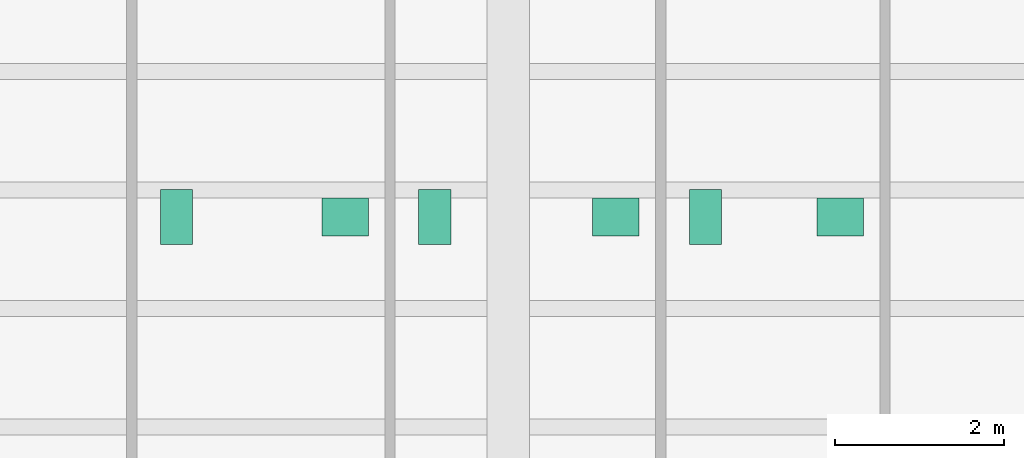
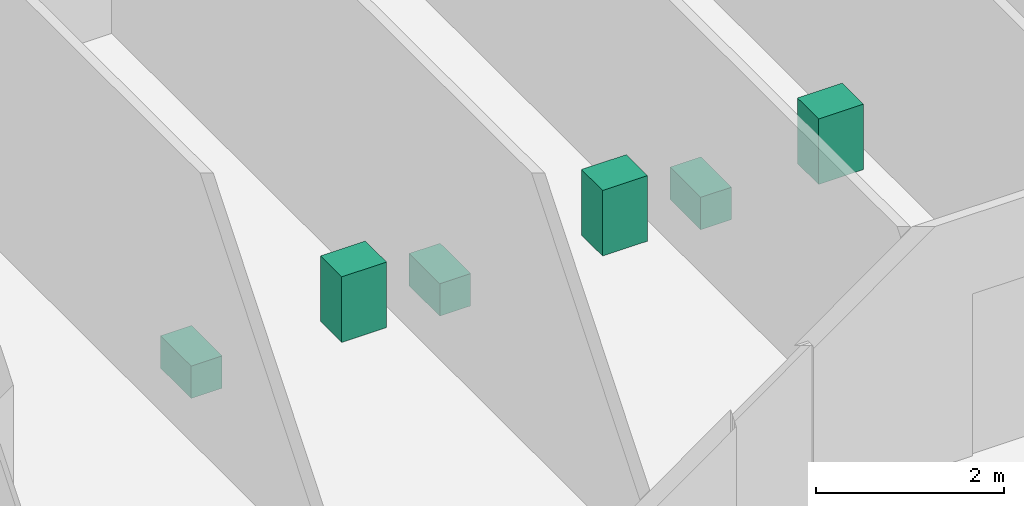
# One storey, part 10 of 10: 6 sanitary terminals.
"""IFC4 building model written with IfcOpenShell, lengths in metres."""

import ifcopenshell
import ifcopenshell.guid

model = None  # the IFC model being written
_history = None  # IfcOwnerHistory: only IFC2X3 demands one
_inside = {}  # id of a spatial element -> (the spatial element, [elements in it])
_under = {}  # id of a project, library or spatial element -> (it, [spatial elements below it])
_declared = {}  # id of a project -> (the project, [libraries it declares])
_typed = {}  # id of a type object -> (the type object, [elements of that type])
_made_of = {}  # id of a material, layer set ... -> (it, [elements and type objects made of it])


def new_model(schema):
    """Start an empty IFC model of exactly this schema.

    Asked for "IFC4X3", IfcOpenShell would pick the latest addendum, in which some entities
    have other attributes; the version numbers below select the first issue.
    IFC2X3 requires an IfcOwnerHistory on every rooted entity: one is made here for all.
    """
    global model, _history
    if schema == "IFC4X3":
        model = ifcopenshell.file(schema_version=(4, 3, 0, 0))
    else:
        model = ifcopenshell.file(schema=schema)
    _inside.clear()
    _under.clear()
    _declared.clear()
    _typed.clear()
    _made_of.clear()
    _history = None
    if model.schema == "IFC2X3":
        org = make("IfcOrganization", Name="unknown")
        user = make(
            "IfcPersonAndOrganization",
            ThePerson=make("IfcPerson", FamilyName="unknown"),
            TheOrganization=org,
        )
        app = make(
            "IfcApplication",
            ApplicationDeveloper=org,
            Version="unknown",
            ApplicationFullName="unknown",
            ApplicationIdentifier="unknown",
        )
        _history = make(
            "IfcOwnerHistory",
            OwningUser=user,
            OwningApplication=app,
            ChangeAction="ADDED",
            CreationDate=0,
        )
    return model


def make(cls, **values):
    """One entity of the class cls with the attributes given. An attribute that is None is left unset."""
    return model.create_entity(
        cls, **{name: value for name, value in values.items() if value is not None}
    )


def rooted(cls, **values):
    """An entity with a GlobalId (a new one), such as an element, a storey or a relation."""
    return make(cls, GlobalId=ifcopenshell.guid.new(), OwnerHistory=_history, **values)


def si_unit(unit_type, name, prefix=None):
    """IfcSIUnit, for example si_unit("LENGTHUNIT", "METRE", prefix="MILLI")."""
    return make("IfcSIUnit", UnitType=unit_type, Prefix=prefix, Name=name)


def assignment(units):
    """IfcUnitAssignment: the units of a project."""
    return None if units is None else make("IfcUnitAssignment", Units=units)


def point(xyz):
    """IfcCartesianPoint."""
    return None if xyz is None else make("IfcCartesianPoint", Coordinates=xyz)


def direction(xyz):
    """IfcDirection."""
    return None if xyz is None else make("IfcDirection", DirectionRatios=xyz)


def frame(location, z_axis=None, x_axis=None):
    """IfcAxis2Placement3D, a coordinate frame: its origin and axes. An axis left out is left unset."""
    return make(
        "IfcAxis2Placement3D",
        Location=point(location),
        Axis=direction(z_axis),
        RefDirection=direction(x_axis),
    )


def frame_2d(location, x_axis=None):
    """IfcAxis2Placement2D, a coordinate frame in the plane: its origin and x axis."""
    return make(
        "IfcAxis2Placement2D", Location=point(location), RefDirection=direction(x_axis)
    )


def origin():
    """The frame at (0, 0, 0) with its axes left unset."""
    return frame((0.0, 0.0, 0.0))


def origin_2d():
    """The frame at (0, 0) in the plane with its x axis left unset."""
    return frame_2d((0.0, 0.0))


def place(relative_to, where):
    """IfcLocalPlacement: puts the frame where relative to a parent placement (None: the world)."""
    return make(
        "IfcLocalPlacement", PlacementRelTo=relative_to, RelativePlacement=where
    )


def context(
    kind, dimensions, precision=None, world=None, true_north=None, identifier=None
):
    """IfcGeometricRepresentationContext, for example the 3D "Model" context."""
    return make(
        "IfcGeometricRepresentationContext",
        ContextIdentifier=identifier,
        ContextType=kind,
        CoordinateSpaceDimension=dimensions,
        Precision=precision,
        WorldCoordinateSystem=world,
        TrueNorth=true_north,
    )


def subcontext(parent, identifier, kind, view, scale=None):
    """IfcGeometricRepresentationSubContext, for example "Body" below "Model"."""
    return make(
        "IfcGeometricRepresentationSubContext",
        ContextIdentifier=identifier,
        ContextType=kind,
        ParentContext=parent,
        TargetScale=scale,
        TargetView=view,
    )


def project(units=None, contexts=None):
    """IfcProject with its units and contexts."""
    return rooted(
        "IfcProject",
        Name="project",
        RepresentationContexts=contexts,
        UnitsInContext=assignment(units),
    )


def spatial(cls, under=None, at=None, **own):
    """A site, building, storey or space (cls), placed at a placement, below another one or the project."""
    s = rooted(cls, ObjectPlacement=at, **own)
    if under is not None:
        _under.setdefault(under.id(), (under, []))[1].append(s)
    return s


def profile(cls, at=None, kind="AREA", **sizes):
    """A parametric profile (cls). Its sizes go by their IFC names, for example OverallWidth=200.0."""
    return make(cls, ProfileType=kind, Position=at, **sizes)


def rectangle(**sizes):
    """IfcRectangleProfileDef."""
    return profile("IfcRectangleProfileDef", **sizes)


def extrude(swept, where, along, depth):
    """IfcExtrudedAreaSolid: the profile swept, set in the frame where, extruded along a direction by depth."""
    return make(
        "IfcExtrudedAreaSolid",
        SweptArea=swept,
        Position=where,
        ExtrudedDirection=direction(along),
        Depth=depth,
    )


def shape(context_of_items, identifier, shape_type, items):
    """IfcShapeRepresentation: the items that make up one representation, for example the "Body"."""
    return make(
        "IfcShapeRepresentation",
        ContextOfItems=context_of_items,
        RepresentationIdentifier=identifier,
        RepresentationType=shape_type,
        Items=items,
    )


def material(Name=None, Category=None):
    """IfcMaterial."""
    return make("IfcMaterial", Name=Name, Category=Category)


def made_of(thing, what):
    """Note that an element or type object is made of a material, layer set ...; save() writes the relation."""
    if what is not None:
        _made_of.setdefault(what.id(), (what, []))[1].append(thing)
    return thing


def type_object(cls, material=None, **own):
    """A type object (cls), such as IfcWallType, which elements share."""
    return made_of(rooted(cls, **own), material)


def element(
    cls,
    number,
    at=None,
    inside=None,
    cuts=None,
    type_object=None,
    material=None,
    context=None,
    identifier="Body",
    shape_type=None,
    held_by="IfcProductDefinitionShape",
    body=None,
    shapes=None,
    **own,
):
    """One element of the class cls, such as IfcWall. Its Tag is "e" and its number.

    at: its placement. inside: the storey or other place that contains it. cuts: it is an
    opening in that element (IfcRelVoidsElement). A single representation is given by context,
    identifier, shape_type and body (its items); several are given by shapes. held_by: the class
    of the entity that holds the representations. save() writes the other relations.
    """
    e = rooted(cls, Tag="e%d" % number, ObjectPlacement=at, **own)
    if body is not None:
        shapes = [shape(context, identifier, shape_type, body)]
    if shapes is not None:
        e.Representation = make(held_by, Representations=shapes)
    if inside is not None:
        _inside.setdefault(inside.id(), (inside, []))[1].append(e)
    if cuts is not None:
        rooted(
            "IfcRelVoidsElement", RelatingBuildingElement=cuts, RelatedOpeningElement=e
        )
    if type_object is not None:
        _typed.setdefault(type_object.id(), (type_object, []))[1].append(e)
    return made_of(e, material)


def aggregate(whole, parts):
    """IfcRelAggregates: a whole, such as a stair, and the parts it consists of."""
    return rooted("IfcRelAggregates", RelatingObject=whole, RelatedObjects=parts)


def save(model, path):
    """Write the relations noted so far, then the file.

    IfcRelAggregates (storeys below a building ...), IfcRelContainedInSpatialStructure (elements
    in a storey), IfcRelDefinesByType, IfcRelAssociatesMaterial and IfcRelDeclares: one each for
    every whole, place, type object, material and project.
    """
    for whole, parts in _under.values():
        aggregate(whole, parts)
    for where, things in _inside.values():
        rooted(
            "IfcRelContainedInSpatialStructure",
            RelatedElements=things,
            RelatingStructure=where,
        )
    for kind, things in _typed.values():
        rooted("IfcRelDefinesByType", RelatedObjects=things, RelatingType=kind)
    for what, things in _made_of.values():
        rooted("IfcRelAssociatesMaterial", RelatedObjects=things, RelatingMaterial=what)
    for by, libraries in _declared.values():
        rooted("IfcRelDeclares", RelatingContext=by, RelatedDefinitions=libraries)
    model.write(path)


model = new_model("IFC4")

# Units and contexts
model_context = context("Model", 3, precision=1e-05, world=origin(), true_north=direction((0.0, 1.0)))
body_context = subcontext(model_context, "Body", "Model", "MODEL_VIEW")
ifc_project = project(units=[si_unit("LENGTHUNIT", "METRE"), si_unit("AREAUNIT", "SQUARE_METRE"), si_unit("VOLUMEUNIT", "CUBIC_METRE"), si_unit("PLANEANGLEUNIT", "RADIAN"), si_unit("MASSUNIT", "GRAM", prefix="KILO")], contexts=[model_context])

# Site, building, storey
site_placement = place(None, origin())
site = spatial("IfcSite", under=ifc_project, at=site_placement, CompositionType="ELEMENT")
building_placement = place(site_placement, origin())
building = spatial("IfcBuilding", under=site, at=building_placement, Name="Kranthara Brick Stack", CompositionType="ELEMENT")
storey_placement = place(building_placement, frame((0.0, 0.0, 98.39990234375)))
storey = spatial("IfcBuildingStorey", under=building, at=storey_placement, Name="L24", CompositionType="ELEMENT", Elevation=98.39990234375)

# Sanitary terminals
ifc_material_1 = material(Name="Vitreous china sanitary porcelain", Category="other")
sanitary_terminal_type_1 = type_object("IfcSanitaryTerminalType", Name="SAN-BASIN", PredefinedType="WASHHANDBASIN", material=ifc_material_1)
for number, where, z_axis, x_axis, name in (
    (1, (26.070068359375, 29.985107421875, 0.0), (0.0, 0.0, 1.0), (1.0, 0.0, 0.0), "L24 Washbasin 74"),
    (2, (29.27001953125, 29.985107421875, 0.0), (0.0, 0.0, 1.0), (1.0, 0.0, 0.0), "L24 Washbasin 75"),
    (3, (31.919921875, 29.985107421875, 0.0), (0.0, 0.0, 1.0), (1.0, 0.0, 0.0), "L24 Washbasin 76"),
):
    element("IfcSanitaryTerminal", number, at=place(storey_placement, frame(where, z_axis=z_axis, x_axis=x_axis)), inside=storey, type_object=sanitary_terminal_type_1, Name=name, PredefinedType="WASHHANDBASIN", context=body_context, shape_type="SweptSolid", body=[
        extrude(rectangle(XDim=0.550048828125, YDim=0.449951171875, at=origin_2d()), origin(), (0.0, 0.0, 1.0), 0.85009765625),
    ])
ifc_material_2 = material(Name="Vitreous china sanitary porcelain", Category="other")
sanitary_terminal_type_2 = type_object("IfcSanitaryTerminalType", Name="SAN-WC-PAN", PredefinedType="TOILETPAN", material=ifc_material_2)
for number, where, z_axis, x_axis, name in (
    (4, (24.080078125, 29.985107421875, 0.000244140625), (0.0, 0.0, 1.0), (1.0, 0.0, 0.0), "L24 WC Pan 74"),
    (5, (27.1298828125, 29.985107421875, 0.000244140625), (0.0, 0.0, 1.0), (1.0, 0.0, 0.0), "L24 WC Pan 75"),
    (6, (30.330078125, 29.985107421875, 0.000244140625), (0.0, 0.0, 1.0), (1.0, 0.0, 0.0), "L24 WC Pan 76"),
):
    element("IfcSanitaryTerminal", number, at=place(storey_placement, frame(where, z_axis=z_axis, x_axis=x_axis)), inside=storey, type_object=sanitary_terminal_type_2, Name=name, PredefinedType="TOILETPAN", context=body_context, shape_type="SweptSolid", body=[
        extrude(rectangle(XDim=0.3798828125, YDim=0.64990234375, at=origin_2d()), origin(), (0.0, 0.0, 1.0), 0.419921875),
    ])

save(model, "model.ifc")
